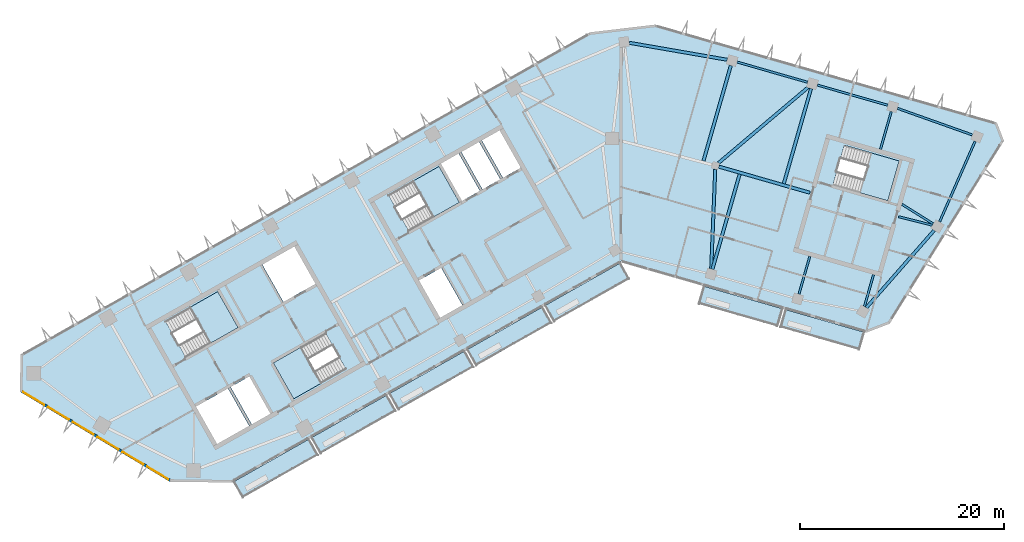
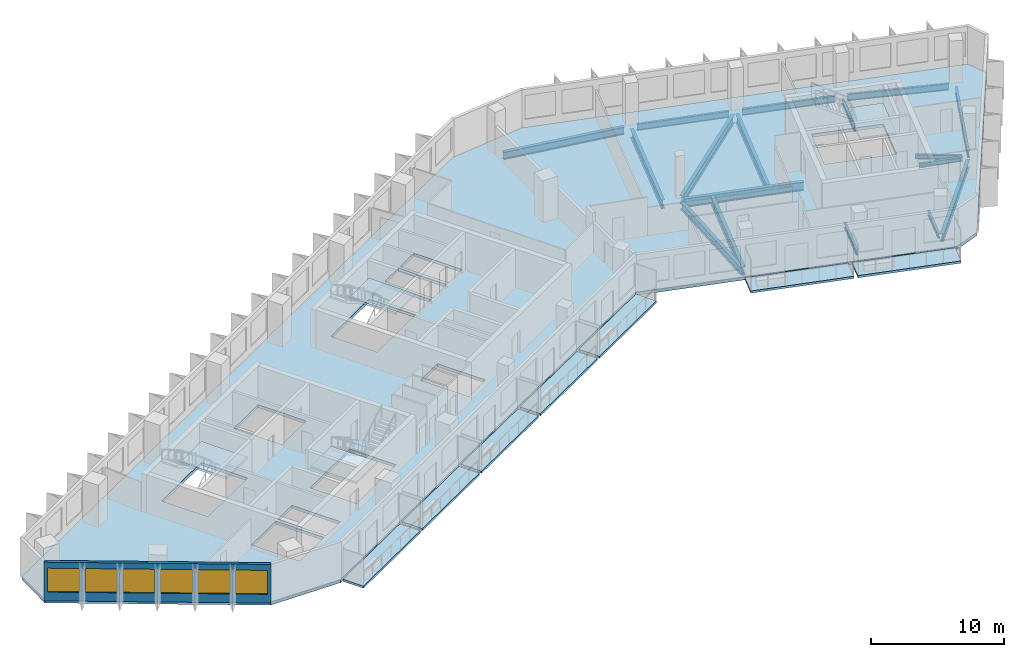
# One storey, part 2 of 12: 17 beams, 12 slabs, 6 windows, 1 wall, 6 openings, 4 elements without a shape of their own.
"""IFC4 building model written with IfcOpenShell, lengths in metres."""

from ifc_helpers import new_model, si_unit, direction, frame, frame_2d, origin, origin_2d, place, context, subcontext, project, spatial, polyline, rectangle, i_section, outline, extrude, material, layer, layer_set, material_profile, profile_set, type_object, element, fill, aggregate, save


model = new_model("IFC4")

# Units and contexts
model_context = context("Model", 3, precision=1e-05, world=origin(), true_north=direction((0.0, 1.0)))
body_context = subcontext(model_context, "Body", "Model", "MODEL_VIEW")
ifc_project = project(units=[si_unit("LENGTHUNIT", "METRE"), si_unit("AREAUNIT", "SQUARE_METRE"), si_unit("VOLUMEUNIT", "CUBIC_METRE"), si_unit("PLANEANGLEUNIT", "RADIAN"), si_unit("MASSUNIT", "GRAM", prefix="KILO")], contexts=[model_context])

# Site, building, storey
site_placement = place(None, origin())
site = spatial("IfcSite", under=ifc_project, at=site_placement, CompositionType="ELEMENT")
building_placement = place(site_placement, origin())
building = spatial("IfcBuilding", under=site, at=building_placement, Name="Binnacle Exchange Tower", CompositionType="ELEMENT")
storey_placement = place(building_placement, frame((0.0, 0.0, 254.300048828125)))
storey = spatial("IfcBuildingStorey", under=building, at=storey_placement, Name="L56", CompositionType="ELEMENT", Elevation=254.300048828125)

# Beams
ifc_material_1 = material(Name="Steel S355 (SHN355)", Category="steel")
ifc_material_profile_1 = material_profile(ifc_material_1, i_section(OverallWidth=0.199951171875, OverallDepth=0.60009765625, WebThickness=0.010986328125, FlangeThickness=0.01708984375, FilletRadius=0.02197265625, at=origin_2d()), Name="H 600x200x11x17")
ifc_profile_set_1 = profile_set([ifc_material_profile_1], Name="Steel S355 (SHN355)")
beam_type_1 = type_object("IfcBeamType", Name="Edge girder H 600x200x11x17 Steel S355 (SHN355)", PredefinedType="SPANDREL", material=ifc_profile_set_1)
beam_1_placement = place(storey_placement, frame((18.265625, 65.513916015625, -0.580078125), z_axis=(-0.961255050864, 0.275660528891, 0.0), x_axis=(-0.275660528891, -0.961255050864, 0.0)))
element("IfcBeam", 1, at=beam_1_placement, inside=storey, type_object=beam_type_1, Name="S:BM:edge:L56:029", PredefinedType="SPANDREL", context=body_context, shape_type="SweptSolid", body=[
    extrude(i_section(OverallWidth=0.199951171875, OverallDepth=0.60009765625, WebThickness=0.010986328125, FlangeThickness=0.01708984375, FilletRadius=0.02197265625, at=origin_2d()), origin(), (0.0, 0.0, 1.0), 7.1728515625),
])
beam_2_placement = place(storey_placement, frame((26.1220703125, 63.26123046875, -0.580078125), z_axis=(-0.96126665508, 0.275620060647, 0.0), x_axis=(-0.275620060647, -0.96126665508, 0.0)))
element("IfcBeam", 2, at=beam_2_placement, inside=storey, type_object=beam_type_1, Name="S:BM:edge:L56:031", PredefinedType="SPANDREL", context=body_context, shape_type="SweptSolid", body=[
    extrude(i_section(OverallWidth=0.199951171875, OverallDepth=0.60009765625, WebThickness=0.010986328125, FlangeThickness=0.01708984375, FilletRadius=0.02197265625, at=origin_2d()), origin(), (0.0, 0.0, 1.0), 7.173095703125),
])
ifc_material_profile_2 = material_profile(ifc_material_1, i_section(OverallWidth=0.200927734375, OverallDepth=0.60595703125, WebThickness=0.011962890625, FlangeThickness=0.02001953125, FilletRadius=0.02197265625, at=origin_2d()), Name="H 606x201x12x20")
ifc_profile_set_2 = profile_set([ifc_material_profile_2], Name="Steel S355 (SHN355)")
beam_type_2 = type_object("IfcBeamType", Name="Edge girder H 606x201x12x20 Steel S355 (SHN355)", PredefinedType="SPANDREL", material=ifc_profile_set_2)
beam_3_placement = place(storey_placement, frame((34.3984375, 60.3544921875, -0.5830078125), z_axis=(-0.942323270608, 0.334704128553, 0.0), x_axis=(-0.334704128553, -0.942323270608, 0.0)))
element("IfcBeam", 3, at=beam_3_placement, inside=storey, type_object=beam_type_2, Name="S:BM:edge:L56:033", PredefinedType="SPANDREL", context=body_context, shape_type="SweptSolid", body=[
    extrude(i_section(OverallWidth=0.200927734375, OverallDepth=0.60595703125, WebThickness=0.011962890625, FlangeThickness=0.02001953125, FilletRadius=0.02197265625, at=origin_2d()), origin(), (0.0, 0.0, 1.0), 7.77197265625),
])
ifc_material_profile_3 = material_profile(ifc_material_1, i_section(OverallWidth=0.201904296875, OverallDepth=0.612060546875, WebThickness=0.012939453125, FlangeThickness=0.02294921875, FilletRadius=0.02197265625, at=origin_2d()), Name="H 612x202x13x23")
ifc_profile_set_3 = profile_set([ifc_material_profile_3], Name="Steel S355 (SHN355)")
beam_type_3 = type_object("IfcBeamType", Name="Edge girder H 612x202x13x23 Steel S355 (SHN355)", PredefinedType="SPANDREL", material=ifc_profile_set_3)
beam_4_placement = place(storey_placement, frame((31.193359375, 51.848388671875, -0.5859375), z_axis=(0.403459457176, 0.914997522628, 0.0), x_axis=(-0.914997522628, 0.403459457176, 0.0)))
element("IfcBeam", 4, at=beam_4_placement, inside=storey, type_object=beam_type_3, Name="S:BM:edge:L56:032", PredefinedType="SPANDREL", context=body_context, shape_type="SweptSolid", body=[
    extrude(i_section(OverallWidth=0.201904296875, OverallDepth=0.612060546875, WebThickness=0.012939453125, FlangeThickness=0.02294921875, FilletRadius=0.02197265625, at=origin_2d()), origin(), (0.0, 0.0, 1.0), 8.61328125),
])
ifc_material_profile_4 = material_profile(ifc_material_1, i_section(OverallWidth=0.300048828125, OverallDepth=0.699951171875, WebThickness=0.012939453125, FlangeThickness=0.02392578125, FilletRadius=0.028076171875, at=origin_2d()), Name="H 700x300x13x24")
ifc_profile_set_4 = profile_set([ifc_material_profile_4], Name="Steel S355 (SHN355)")
beam_type_4 = type_object("IfcBeamType", Name="Edge girder H 700x300x13x24 Steel S355 (SHN355)", PredefinedType="SPANDREL", material=ifc_profile_set_4)
beam_5_placement = place(storey_placement, frame((10.39453125, 67.71484375, -0.630126953125), z_axis=(-0.985315512383, 0.170743494921, 0.0), x_axis=(-0.170743494921, -0.985315512383, 0.0)))
element("IfcBeam", 5, at=beam_5_placement, inside=storey, type_object=beam_type_4, Name="S:BM:edge:L56:027", PredefinedType="SPANDREL", context=body_context, shape_type="SweptSolid", body=[
    extrude(i_section(OverallWidth=0.300048828125, OverallDepth=0.699951171875, WebThickness=0.012939453125, FlangeThickness=0.02392578125, FilletRadius=0.028076171875, at=origin_2d()), origin(), (0.0, 0.0, 1.0), 9.72314453125),
])
beam_6_placement = place(storey_placement, frame((24.026123046875, 43.44580078125, -0.630126953125), z_axis=(0.659336218273, 0.751848223562, 0.0), x_axis=(-0.751848223562, 0.659336218273, 0.0)))
element("IfcBeam", 6, at=beam_6_placement, inside=storey, type_object=beam_type_4, Name="S:BM:edge:L56:030", PredefinedType="SPANDREL", context=body_context, shape_type="SweptSolid", body=[
    extrude(i_section(OverallWidth=0.300048828125, OverallDepth=0.699951171875, WebThickness=0.012939453125, FlangeThickness=0.02392578125, FilletRadius=0.028076171875, at=origin_2d()), origin(), (0.0, 0.0, 1.0), 10.0546875),
])
ifc_material_profile_5 = material_profile(ifc_material_1, i_section(OverallWidth=0.199951171875, OverallDepth=0.39990234375, WebThickness=0.008056640625, FlangeThickness=0.012939453125, FilletRadius=0.01611328125, at=origin_2d()), Name="H 400x200x8x13")
ifc_profile_set_5 = profile_set([ifc_material_profile_5], Name="Steel S355 (SHN355)")
beam_type_5 = type_object("IfcBeamType", Name="Floor beam H 400x200x8x13 Steel S355 (SHN355)", PredefinedType="BEAM", material=ifc_profile_set_5)
beam_7_placement = place(storey_placement, frame((23.832275390625, 43.55810546875, -0.47998046875), z_axis=(0.275607869103, 0.961270150628, 0.0), x_axis=(-0.961270150628, 0.275607869103, 0.0)))
element("IfcBeam", 7, at=beam_7_placement, inside=storey, type_object=beam_type_5, Name="S:BM:cross:L56:051", PredefinedType="BEAM", context=body_context, shape_type="SweptSolid", body=[
    extrude(i_section(OverallWidth=0.199951171875, OverallDepth=0.39990234375, WebThickness=0.008056640625, FlangeThickness=0.012939453125, FilletRadius=0.01611328125, at=origin_2d()), origin(), (0.0, 0.0, 1.0), 3.23583984375),
])
beam_8_placement = place(storey_placement, frame((30.5654296875, 51.6513671875, -0.47998046875), z_axis=(-0.848078408173, 0.529870751779, 0.0), x_axis=(-0.529870751779, -0.848078408173, 0.0)))
element("IfcBeam", 8, at=beam_8_placement, inside=storey, type_object=beam_type_5, Name="S:BM:cross:L56:053", PredefinedType="BEAM", context=body_context, shape_type="SweptSolid", body=[
    extrude(i_section(OverallWidth=0.199951171875, OverallDepth=0.39990234375, WebThickness=0.008056640625, FlangeThickness=0.012939453125, FilletRadius=0.01611328125, at=origin_2d()), origin(), (0.0, 0.0, 1.0), 3.59521484375),
])
ifc_material_profile_6 = material_profile(ifc_material_1, i_section(OverallWidth=0.199951171875, OverallDepth=0.449951171875, WebThickness=0.009033203125, FlangeThickness=0.013916015625, FilletRadius=0.01806640625, at=origin_2d()), Name="H 450x200x9x14")
ifc_profile_set_6 = profile_set([ifc_material_profile_6], Name="Steel S355 (SHN355)")
beam_type_6 = type_object("IfcBeamType", Name="Floor beam H 450x200x9x14 Steel S355 (SHN355)", PredefinedType="BEAM", material=ifc_profile_set_6)
for number, where, z_axis, x_axis, name in (
    (9, (17.426025390625, 44.771728515625, -0.505126953125), (0.27564586602, 0.961259255636, 0.0), (-0.961259255636, 0.27564586602, 0.0), "S:BM:cross:L56:049"),
    (10, (26.46484375, 62.642822265625, -0.505126953125), (-0.27564586602, -0.961259255636, 0.0), (0.961259255636, -0.27564586602, 0.0), "S:BM:cross:L56:052"),
):
    element("IfcBeam", number, at=place(storey_placement, frame(where, z_axis=z_axis, x_axis=x_axis)), inside=storey, type_object=beam_type_6, Name=name, PredefinedType="BEAM", context=body_context, shape_type="SweptSolid", body=[
        extrude(i_section(OverallWidth=0.199951171875, OverallDepth=0.449951171875, WebThickness=0.009033203125, FlangeThickness=0.013916015625, FilletRadius=0.01806640625, at=origin_2d()), origin(), (0.0, 0.0, 1.0), 3.835205078125),
    ])
ifc_material_profile_7 = material_profile(ifc_material_1, i_section(OverallWidth=0.300048828125, OverallDepth=0.800048828125, WebThickness=0.013916015625, FlangeThickness=0.02587890625, FilletRadius=0.028076171875, at=origin_2d()), Name="H 800x300x14x26")
ifc_profile_set_7 = profile_set([ifc_material_profile_7], Name="Steel S355 (SHN355)")
beam_type_7 = type_object("IfcBeamType", Name="Floor beam H 800x300x14x26 Steel S355 (SHN355)", PredefinedType="BEAM", material=ifc_profile_set_7)
beam_9_placement = place(storey_placement, frame((8.947265625, 47.202880859375, -0.679931640625), z_axis=(0.275643212873, 0.961260016435, 0.0), x_axis=(-0.961260016435, 0.275643212873, 0.0)))
element("IfcBeam", 11, at=beam_9_placement, inside=storey, type_object=beam_type_7, Name="S:BM:cross:L56:047", PredefinedType="BEAM", context=body_context, shape_type="SweptSolid", body=[
    extrude(i_section(OverallWidth=0.300048828125, OverallDepth=0.800048828125, WebThickness=0.013916015625, FlangeThickness=0.02587890625, FilletRadius=0.028076171875, at=origin_2d()), origin(), (0.0, 0.0, 1.0), 9.685302734375),
])
beam_10_placement = place(storey_placement, frame((10.752197265625, 67.1484375, -0.679931640625), z_axis=(-0.275623948616, -0.96126554029, 0.0), x_axis=(0.96126554029, -0.275623948616, 0.0)))
element("IfcBeam", 12, at=beam_10_placement, inside=storey, type_object=beam_type_7, Name="S:BM:cross:L56:048", PredefinedType="BEAM", context=body_context, shape_type="SweptSolid", body=[
    extrude(i_section(OverallWidth=0.300048828125, OverallDepth=0.800048828125, WebThickness=0.013916015625, FlangeThickness=0.02587890625, FilletRadius=0.028076171875, at=origin_2d()), origin(), (0.0, 0.0, 1.0), 9.71337890625),
])
beam_11_placement = place(storey_placement, frame((18.6083984375, 64.8955078125, -0.679931640625), z_axis=(-0.275626599208, -0.961264780281, 0.0), x_axis=(0.961264780281, -0.275626599208, 0.0)))
element("IfcBeam", 13, at=beam_11_placement, inside=storey, type_object=beam_type_7, Name="S:BM:cross:L56:050", PredefinedType="BEAM", context=body_context, shape_type="SweptSolid", body=[
    extrude(i_section(OverallWidth=0.300048828125, OverallDepth=0.800048828125, WebThickness=0.013916015625, FlangeThickness=0.02587890625, FilletRadius=0.028076171875, at=origin_2d()), origin(), (0.0, 0.0, 1.0), 9.68505859375),
])
ifc_material_profile_8 = material_profile(ifc_material_1, i_section(OverallWidth=0.199951171875, OverallDepth=0.39990234375, WebThickness=0.008056640625, FlangeThickness=0.012939453125, FilletRadius=0.01611328125, at=origin_2d()), Name="H 400x200x8x13")
ifc_profile_set_8 = profile_set([ifc_material_profile_8], Name="Steel S355 (SHN355)")
beam_type_8 = type_object("IfcBeamType", Name="Spine girder H 400x200x8x13 Steel S355 (SHN355)", PredefinedType="BEAM", material=ifc_profile_set_8)
beam_12_placement = place(storey_placement, frame((27.17138671875, 52.35400390625, -0.47998046875), z_axis=(0.969354959992, -0.245664326957, 0.0), x_axis=(0.245664326957, 0.969354959992, 0.0)))
element("IfcBeam", 14, at=beam_12_placement, inside=storey, type_object=beam_type_8, Name="S:BM:spine:L56:010", PredefinedType="BEAM", context=body_context, shape_type="SweptSolid", body=[
    extrude(i_section(OverallWidth=0.199951171875, OverallDepth=0.39990234375, WebThickness=0.008056640625, FlangeThickness=0.012939453125, FilletRadius=0.01611328125, at=origin_2d()), origin(), (0.0, 0.0, 1.0), 3.41357421875),
])
ifc_material_profile_9 = material_profile(ifc_material_1, i_section(OverallWidth=0.300048828125, OverallDepth=0.699951171875, WebThickness=0.012939453125, FlangeThickness=0.02392578125, FilletRadius=0.028076171875, at=origin_2d()), Name="H 700x300x13x24")
ifc_profile_set_9 = profile_set([ifc_material_profile_9], Name="Steel S355 (SHN355)")
beam_type_9 = type_object("IfcBeamType", Name="Spine girder H 700x300x13x24 Steel S355 (SHN355)", PredefinedType="BEAM", material=ifc_profile_set_9)
beam_13_placement = place(storey_placement, frame((9.226318359375, 56.990234375, -0.630126953125), z_axis=(-0.040566314933, -0.999176848257, 0.0), x_axis=(0.999176848257, -0.040566314933, 0.0)))
element("IfcBeam", 15, at=beam_13_placement, inside=storey, type_object=beam_type_9, Name="S:BM:spine:L56:007", PredefinedType="BEAM", context=body_context, shape_type="SweptSolid", body=[
    extrude(i_section(OverallWidth=0.300048828125, OverallDepth=0.699951171875, WebThickness=0.012939453125, FlangeThickness=0.02392578125, FilletRadius=0.028076171875, at=origin_2d()), origin(), (0.0, 0.0, 1.0), 9.76171875),
])
ifc_material_profile_10 = material_profile(ifc_material_1, i_section(OverallWidth=0.300048828125, OverallDepth=0.800048828125, WebThickness=0.013916015625, FlangeThickness=0.02587890625, FilletRadius=0.028076171875, at=origin_2d()), Name="H 800x300x14x26")
ifc_profile_set_10 = profile_set([ifc_material_profile_10], Name="Steel S355 (SHN355)")
beam_type_10 = type_object("IfcBeamType", Name="Spine girder H 800x300x14x26 Steel S355 (SHN355)", PredefinedType="BEAM", material=ifc_profile_set_10)
beam_14_placement = place(storey_placement, frame((9.577392578125, 57.253662109375, -0.679931640625), z_axis=(0.961262936931, -0.275633027924, 0.0), x_axis=(0.275633027924, 0.961262936931, 0.0)))
element("IfcBeam", 16, at=beam_14_placement, inside=storey, type_object=beam_type_10, Name="S:BM:spine:L56:009", PredefinedType="BEAM", context=body_context, shape_type="SweptSolid", body=[
    extrude(i_section(OverallWidth=0.300048828125, OverallDepth=0.800048828125, WebThickness=0.013916015625, FlangeThickness=0.02587890625, FilletRadius=0.028076171875, at=origin_2d()), origin(), (0.0, 0.0, 1.0), 9.26318359375),
])
ifc_material_profile_11 = material_profile(ifc_material_1, i_section(OverallWidth=0.302001953125, OverallDepth=0.80810546875, WebThickness=0.01611328125, FlangeThickness=0.030029296875, FilletRadius=0.028076171875, at=origin_2d()), Name="H 808x302x16x30")
ifc_profile_set_11 = profile_set([ifc_material_profile_11], Name="Steel S355 (SHN355)")
beam_type_11 = type_object("IfcBeamType", Name="Spine girder H 808x302x16x30 Steel S355 (SHN355)", PredefinedType="BEAM", material=ifc_profile_set_11)
beam_15_placement = place(storey_placement, frame((9.562744140625, 57.6220703125, -0.68408203125), z_axis=(0.764068797706, 0.645134770704, 0.0), x_axis=(-0.645134770704, 0.764068797706, 0.0)))
element("IfcBeam", 17, at=beam_15_placement, inside=storey, type_object=beam_type_11, Name="S:BM:spine:L56:008", PredefinedType="BEAM", context=body_context, shape_type="SweptSolid", body=[
    extrude(i_section(OverallWidth=0.302001953125, OverallDepth=0.80810546875, WebThickness=0.01611328125, FlangeThickness=0.030029296875, FilletRadius=0.028076171875, at=origin_2d()), origin(), (0.0, 0.0, 1.0), 11.417236328125),
])

# Slabs
ifc_material_2 = material(Name="Concrete C35/45", Category="concrete")
ifc_layer_1 = layer(ifc_material_2, 0.199951171875)
ifc_layer_set_1 = layer_set([ifc_layer_1], Name="BALCONY SLAB 200")
slab_type_1 = type_object("IfcSlabType", Name="BALCONY SLAB 200", PredefinedType="FLOOR", material=ifc_layer_set_1)
slab_1_placement = place(storey_placement, frame((0.0, 0.0, -0.199951171875)))
element("IfcSlab", 18, at=slab_1_placement, inside=storey, type_object=slab_type_1, Name="Balcony BA-G01-00 L56", PredefinedType="FLOOR", context=body_context, shape_type="SweptSolid", body=[
    extrude(outline(polyline([(-37.90576171875, 26.410400390625), (-30.54736328125, 30.573486328125), (-29.660888671875, 29.0068359375), (-37.019287109375, 24.84375), (-37.90576171875, 26.410400390625)])), origin(), (0.0, 0.0, 1.0), 0.199951171875),
])
slab_2_placement = place(storey_placement, frame((0.0, 0.0, -0.199951171875)))
element("IfcSlab", 19, at=slab_2_placement, inside=storey, type_object=slab_type_1, Name="Balcony BA-G01-01 L56", PredefinedType="FLOOR", context=body_context, shape_type="SweptSolid", body=[
    extrude(outline(polyline([(-30.2861328125, 30.72119140625), (-22.927734375, 34.884521484375), (-22.041259765625, 33.31787109375), (-29.39990234375, 29.15478515625), (-30.2861328125, 30.72119140625)])), origin(), (0.0, 0.0, 1.0), 0.199951171875),
])
slab_3_placement = place(storey_placement, frame((0.0, 0.0, -0.199951171875)))
element("IfcSlab", 20, at=slab_3_placement, inside=storey, type_object=slab_type_1, Name="Balcony BA-G01-02 L56", PredefinedType="FLOOR", context=body_context, shape_type="SweptSolid", body=[
    extrude(outline(polyline([(-22.66650390625, 35.0322265625), (-15.30810546875, 39.195556640625), (-14.421875, 37.62890625), (-21.7802734375, 33.465576171875), (-22.66650390625, 35.0322265625)])), origin(), (0.0, 0.0, 1.0), 0.199951171875),
])
slab_4_placement = place(storey_placement, frame((0.0, 0.0, -0.199951171875)))
element("IfcSlab", 21, at=slab_4_placement, inside=storey, type_object=slab_type_1, Name="Balcony BA-G01-03 L56", PredefinedType="FLOOR", context=body_context, shape_type="SweptSolid", body=[
    extrude(outline(polyline([(-15.047119140625, 39.34326171875), (-7.6884765625, 43.50634765625), (-6.802001953125, 41.939697265625), (-14.16064453125, 37.776611328125), (-15.047119140625, 39.34326171875)])), origin(), (0.0, 0.0, 1.0), 0.199951171875),
])
slab_5_placement = place(storey_placement, frame((0.0, 0.0, -0.199951171875)))
element("IfcSlab", 22, at=slab_5_placement, inside=storey, type_object=slab_type_1, Name="Balcony BA-G01-04 L56", PredefinedType="FLOOR", context=body_context, shape_type="SweptSolid", body=[
    extrude(outline(polyline([(-7.427490234375, 43.654296875), (-0.069091796875, 47.8173828125), (0.8173828125, 46.250732421875), (-6.541015625, 42.08740234375), (-7.427490234375, 43.654296875)])), origin(), (0.0, 0.0, 1.0), 0.199951171875),
])
slab_6_placement = place(storey_placement, frame((0.0, 0.0, -0.199951171875)))
element("IfcSlab", 23, at=slab_6_placement, inside=storey, type_object=slab_type_1, Name="Balcony BA-G02-01 L56", PredefinedType="FLOOR", context=body_context, shape_type="SweptSolid", body=[
    extrude(outline(polyline([(8.10791015625, 45.545166015625), (15.8173828125, 43.33447265625), (15.3212890625, 41.60400390625), (7.61181640625, 43.814697265625), (8.10791015625, 45.545166015625)])), origin(), (0.0, 0.0, 1.0), 0.199951171875),
])
slab_7_placement = place(storey_placement, frame((0.0, 0.0, -0.199951171875)))
element("IfcSlab", 24, at=slab_7_placement, inside=storey, type_object=slab_type_1, Name="Balcony BA-G02-02 L56", PredefinedType="FLOOR", context=body_context, shape_type="SweptSolid", body=[
    extrude(outline(polyline([(16.10595703125, 43.251708984375), (23.815673828125, 41.041015625), (23.319580078125, 39.310791015625), (15.60986328125, 41.521484375), (16.10595703125, 43.251708984375)])), origin(), (0.0, 0.0, 1.0), 0.199951171875),
])
ifc_layer_2 = layer(ifc_material_2, 0.280029296875)
ifc_layer_set_2 = layer_set([ifc_layer_2], Name="Floor slab 280 Concrete C35/45")
slab_type_2 = type_object("IfcSlabType", Name="Floor slab 280 Concrete C35/45", PredefinedType="FLOOR", material=ifc_layer_set_2)
slab_8_placement = place(storey_placement, frame((0.0, 0.0, -0.280029296875)))
element("IfcSlab", 25, at=slab_8_placement, inside=storey, type_object=slab_type_2, Name="S:SL:L56:01", PredefinedType="FLOOR", context=body_context, shape_type="SweptSolid", body=[
    extrude(outline(polyline([(-58.716064453125, 35.280029296875), (-58.669921875, 38.80615234375), (-3.046142578125, 70.276611328125), (3.364501953125, 71.035400390625), (36.71240234375, 61.472900390625), (37.359375, 59.787353515625), (26.23095703125, 41.978515625), (23.994140625, 41.119873046875), (0.0, 48.0), (-38.097900390625, 26.4453125), (-44.14404296875, 26.5244140625), (-58.716064453125, 35.280029296875)]), holes=[polyline([(-38.4794921875, 35.529296875), (-41.61279296875, 33.756591796875), (-39.544677734375, 30.10107421875), (-36.411376953125, 31.873779296875), (-38.4794921875, 35.529296875)]), polyline([(-36.390625, 36.711181640625), (-38.21826171875, 35.677001953125), (-36.150146484375, 32.021484375), (-34.322509765625, 33.0556640625), (-36.390625, 36.711181640625)]), polyline([(-32.04638671875, 34.515625), (-26.9287109375, 37.4111328125), (-28.923095703125, 40.93603515625), (-34.040771484375, 38.04052734375), (-32.04638671875, 34.515625)]), polyline([(-37.486572265625, 41.4912109375), (-39.480712890625, 45.01611328125), (-44.598388671875, 42.12060546875), (-42.604248046875, 38.595703125), (-37.486572265625, 41.4912109375)]), polyline([(-29.914306640625, 45.775390625), (-31.982666015625, 49.430908203125), (-35.115966796875, 47.657958984375), (-33.047607421875, 44.00244140625), (-29.914306640625, 45.775390625)]), polyline([(-17.81689453125, 57.27294921875), (-22.760498046875, 54.47607421875), (-20.76611328125, 50.950927734375), (-15.822509765625, 53.748046875), (-17.81689453125, 57.27294921875)]), polyline([(-15.53076171875, 43.6875), (-17.598876953125, 47.343017578125), (-19.77490234375, 46.11181640625), (-17.70654296875, 42.456298828125), (-15.53076171875, 43.6875)]), polyline([(-13.82080078125, 54.880615234375), (-15.888916015625, 58.5361328125), (-17.629638671875, 57.55126953125), (-15.5615234375, 53.895751953125), (-13.82080078125, 54.880615234375)]), polyline([(27.227783203125, 57.810302734375), (21.864013671875, 59.348388671875), (20.74755859375, 55.455078125), (26.111328125, 53.9169921875), (27.227783203125, 57.810302734375)]), polyline([(-11.819091796875, 56.01318359375), (-13.88720703125, 59.668701171875), (-15.6279296875, 58.683837890625), (-13.559814453125, 55.0283203125), (-11.819091796875, 56.01318359375)]), polyline([(-9.817138671875, 57.145751953125), (-11.885498046875, 60.80126953125), (-13.626220703125, 59.81640625), (-11.557861328125, 56.160888671875), (-9.817138671875, 57.145751953125)])]), origin(), (0.0, 0.0, 1.0), 0.280029296875),
])

# Stair, slab
stair_type = type_object("IfcStairType", Name="STAIR 22 RISERS 177", PredefinedType="HALF_TURN_STAIR", material=ifc_material_2)
stair_1_placement = place(storey_placement, origin())
stair_1 = element("IfcStair", 26, at=stair_1_placement, inside=storey, type_object=stair_type, Name="L56 Escape stair A1", PredefinedType="HALF_TURN_STAIR")
ifc_layer_3 = layer(ifc_material_2, 0.199951171875)
ifc_layer_set_3 = layer_set([ifc_layer_3], Name="STAIR LANDING 200")
slab_type_3 = type_object("IfcSlabType", Name="STAIR LANDING 200", PredefinedType="LANDING", material=ifc_layer_set_3)
slab_9_placement = place(storey_placement, frame((0.0, 0.0, 1.75)))
slab_9 = element("IfcSlab", 27, at=slab_9_placement, type_object=slab_type_3, Name="STA1 landing 1", PredefinedType="LANDING", context=body_context, shape_type="SweptSolid", body=[
    extrude(outline(polyline([(-40.2021484375, 39.954833984375), (-37.486572265625, 41.4912109375), (-39.48095703125, 45.01611328125), (-42.1962890625, 43.479736328125), (-40.2021484375, 39.954833984375)])), origin(), (0.0, 0.0, 1.0), 0.199951171875),
])
aggregate(stair_1, [slab_9])

stair_2_placement = place(storey_placement, origin())
stair_2 = element("IfcStair", 28, at=stair_2_placement, inside=storey, type_object=stair_type, Name="L56 Escape stair A2", PredefinedType="HALF_TURN_STAIR")
slab_10_placement = place(storey_placement, frame((0.0, 0.0, 1.75)))
slab_10 = element("IfcSlab", 29, at=slab_10_placement, type_object=slab_type_3, Name="STA2 landing 1", PredefinedType="LANDING", context=body_context, shape_type="SweptSolid", body=[
    extrude(outline(polyline([(-31.3251953125, 39.576904296875), (-34.040771484375, 38.04052734375), (-32.04638671875, 34.515625), (-29.330810546875, 36.052001953125), (-31.3251953125, 39.576904296875)])), origin(), (0.0, 0.0, 1.0), 0.199951171875),
])
aggregate(stair_2, [slab_10])

stair_3_placement = place(storey_placement, origin())
stair_3 = element("IfcStair", 30, at=stair_3_placement, inside=storey, type_object=stair_type, Name="L56 Escape stair C1", PredefinedType="HALF_TURN_STAIR")
slab_11_placement = place(storey_placement, frame((0.0, 0.0, 1.75)))
slab_11 = element("IfcSlab", 31, at=slab_11_placement, type_object=slab_type_3, Name="STC1 landing 1", PredefinedType="LANDING", context=body_context, shape_type="SweptSolid", body=[
    extrude(outline(polyline([(-18.364013671875, 52.31005859375), (-15.822509765625, 53.748046875), (-17.81689453125, 57.27294921875), (-20.3583984375, 55.8349609375), (-18.364013671875, 52.31005859375)])), origin(), (0.0, 0.0, 1.0), 0.199951171875),
])
aggregate(stair_3, [slab_11])

stair_4_placement = place(storey_placement, origin())
stair_4 = element("IfcStair", 32, at=stair_4_placement, inside=storey, type_object=stair_type, Name="L56 Escape stair D1", PredefinedType="HALF_TURN_STAIR")
slab_12_placement = place(storey_placement, frame((0.0, 0.0, 1.75)))
slab_12 = element("IfcSlab", 33, at=slab_12_placement, type_object=slab_type_3, Name="STD1 landing 1", PredefinedType="LANDING", context=body_context, shape_type="SweptSolid", body=[
    extrude(outline(polyline([(23.400634765625, 54.6943359375), (26.111328125, 53.917236328125), (27.227783203125, 57.810302734375), (24.516845703125, 58.587646484375), (23.400634765625, 54.6943359375)])), origin(), (0.0, 0.0, 1.0), 0.199951171875),
])
aggregate(stair_4, [slab_12])

# Wall, openings, windows
ifc_material_3 = material(Name="Bronze aluminium cladding", Category="aluminium")
ifc_layer_4 = layer(ifc_material_3, 0.25)
ifc_layer_set_4 = layer_set([ifc_layer_4], Name="External wall - window wall 250")
wall_type = type_object("IfcWallType", Name="External wall - window wall 250", PredefinedType="STANDARD", material=ifc_layer_set_4)
wall_placement = place(storey_placement, frame((-44.115234375, 26.507080078125, 0.0), z_axis=(0.0, 0.0, 1.0), x_axis=(-0.857166583633, 0.515039268311, 0.0)))
wall = element("IfcWall", 34, at=wall_placement, inside=storey, type_object=wall_type, Name="External wall EW-G10 L56", PredefinedType="STANDARD", context=body_context, shape_type="SweptSolid", body=[
    extrude(rectangle(XDim=17.105712890625, YDim=0.25, at=frame_2d((8.552734375, 0.0))), origin(), (0.0, 0.0, 1.0), 3.550048828125),
])
opening_1_placement = place(wall_placement, frame((14.4169921875, 0.0, 0.800048828125)))
opening_1 = element("IfcOpeningElement", 35, at=opening_1_placement, cuts=wall, Name="Opening WR1", PredefinedType="OPENING", context=body_context, shape_type="SweptSolid", body=[
    extrude(rectangle(XDim=2.39990234375, YDim=2.199951171875, at=frame_2d((1.199951171875, 1.10009765625))), frame((0.0, 0.135009765625, 0.0), z_axis=(0.0, -1.0, 0.0), x_axis=(1.0, 0.0, 0.0)), (0.0, 0.0, 1.0), 0.27001953125),
])
opening_2_placement = place(wall_placement, frame((11.583740234375, 0.0, 0.800048828125)))
opening_2 = element("IfcOpeningElement", 36, at=opening_2_placement, cuts=wall, Name="Opening WR1", PredefinedType="OPENING", context=body_context, shape_type="SweptSolid", body=[
    extrude(rectangle(XDim=2.39990234375, YDim=2.199951171875, at=frame_2d((1.199951171875, 1.10009765625))), frame((0.0, 0.135009765625, 0.0), z_axis=(0.0, -1.0, 0.0), x_axis=(1.0, 0.0, 0.0)), (0.0, 0.0, 1.0), 0.27001953125),
])
opening_3_placement = place(wall_placement, frame((8.75048828125, 0.0, 0.800048828125)))
opening_3 = element("IfcOpeningElement", 37, at=opening_3_placement, cuts=wall, Name="Opening WR1", PredefinedType="OPENING", context=body_context, shape_type="SweptSolid", body=[
    extrude(rectangle(XDim=2.39990234375, YDim=2.199951171875, at=frame_2d((1.199951171875, 1.10009765625))), frame((0.0, 0.135009765625, 0.0), z_axis=(0.0, -1.0, 0.0), x_axis=(1.0, 0.0, 0.0)), (0.0, 0.0, 1.0), 0.27001953125),
])
opening_4_placement = place(wall_placement, frame((5.9169921875, 0.0, 0.800048828125)))
opening_4 = element("IfcOpeningElement", 38, at=opening_4_placement, cuts=wall, Name="Opening WR1", PredefinedType="OPENING", context=body_context, shape_type="SweptSolid", body=[
    extrude(rectangle(XDim=2.39990234375, YDim=2.199951171875, at=frame_2d((1.199951171875, 1.10009765625))), frame((0.0, 0.135009765625, 0.0), z_axis=(0.0, -1.0, 0.0), x_axis=(1.0, 0.0, 0.0)), (0.0, 0.0, 1.0), 0.27001953125),
])
opening_5_placement = place(wall_placement, frame((3.083740234375, 0.0, 0.800048828125)))
opening_5 = element("IfcOpeningElement", 39, at=opening_5_placement, cuts=wall, Name="Opening WR1", PredefinedType="OPENING", context=body_context, shape_type="SweptSolid", body=[
    extrude(rectangle(XDim=2.39990234375, YDim=2.199951171875, at=frame_2d((1.199951171875, 1.10009765625))), frame((0.0, 0.135009765625, 0.0), z_axis=(0.0, -1.0, 0.0), x_axis=(1.0, 0.0, 0.0)), (0.0, 0.0, 1.0), 0.27001953125),
])
opening_6_placement = place(wall_placement, frame((0.25048828125, 0.0, 0.800048828125)))
opening_6 = element("IfcOpeningElement", 40, at=opening_6_placement, cuts=wall, Name="Opening WR1", PredefinedType="OPENING", context=body_context, shape_type="SweptSolid", body=[
    extrude(rectangle(XDim=2.39990234375, YDim=2.199951171875, at=frame_2d((1.199951171875, 1.10009765625))), frame((0.0, 0.135009765625, 0.0), z_axis=(0.0, -1.0, 0.0), x_axis=(1.0, 0.0, 0.0)), (0.0, 0.0, 1.0), 0.27001953125),
])
ifc_material_4 = material(Name="Bronze anodised aluminium frame", Category="aluminium")
window_type = type_object("IfcWindowType", Name="WR1 WINDOW 2400x2200", PartitioningType="SINGLE_PANEL", PredefinedType="WINDOW", material=ifc_material_4)
window_1_placement = place(opening_1_placement, origin())
window_1 = element("IfcWindow", 41, at=window_1_placement, inside=storey, type_object=window_type, Name="Window WR1 L56", OverallHeight=2.199951171875, OverallWidth=2.39990234375, PartitioningType="SINGLE_PANEL", PredefinedType="WINDOW", context=body_context, shape_type="SweptSolid", body=[
    extrude(rectangle(XDim=2.39990234375, YDim=2.199951171875, at=frame_2d((1.199951171875, 1.10009765625))), frame((0.0, 0.030029296875, 0.0), z_axis=(0.0, -1.0, 0.0), x_axis=(1.0, 0.0, 0.0)), (0.0, 0.0, 1.0), 0.06005859375),
])
fill(opening_1, window_1)
window_2_placement = place(opening_2_placement, origin())
window_2 = element("IfcWindow", 42, at=window_2_placement, inside=storey, type_object=window_type, Name="Window WR1 L56", OverallHeight=2.199951171875, OverallWidth=2.39990234375, PartitioningType="SINGLE_PANEL", PredefinedType="WINDOW", context=body_context, shape_type="SweptSolid", body=[
    extrude(rectangle(XDim=2.39990234375, YDim=2.199951171875, at=frame_2d((1.199951171875, 1.10009765625))), frame((0.0, 0.030029296875, 0.0), z_axis=(0.0, -1.0, 0.0), x_axis=(1.0, 0.0, 0.0)), (0.0, 0.0, 1.0), 0.06005859375),
])
fill(opening_2, window_2)
window_3_placement = place(opening_3_placement, origin())
window_3 = element("IfcWindow", 43, at=window_3_placement, inside=storey, type_object=window_type, Name="Window WR1 L56", OverallHeight=2.199951171875, OverallWidth=2.39990234375, PartitioningType="SINGLE_PANEL", PredefinedType="WINDOW", context=body_context, shape_type="SweptSolid", body=[
    extrude(rectangle(XDim=2.39990234375, YDim=2.199951171875, at=frame_2d((1.199951171875, 1.10009765625))), frame((0.0, 0.030029296875, 0.0), z_axis=(0.0, -1.0, 0.0), x_axis=(1.0, 0.0, 0.0)), (0.0, 0.0, 1.0), 0.06005859375),
])
fill(opening_3, window_3)
window_4_placement = place(opening_4_placement, origin())
window_4 = element("IfcWindow", 44, at=window_4_placement, inside=storey, type_object=window_type, Name="Window WR1 L56", OverallHeight=2.199951171875, OverallWidth=2.39990234375, PartitioningType="SINGLE_PANEL", PredefinedType="WINDOW", context=body_context, shape_type="SweptSolid", body=[
    extrude(rectangle(XDim=2.39990234375, YDim=2.199951171875, at=frame_2d((1.199951171875, 1.10009765625))), frame((0.0, 0.030029296875, 0.0), z_axis=(0.0, -1.0, 0.0), x_axis=(1.0, 0.0, 0.0)), (0.0, 0.0, 1.0), 0.06005859375),
])
fill(opening_4, window_4)
window_5_placement = place(opening_5_placement, origin())
window_5 = element("IfcWindow", 45, at=window_5_placement, inside=storey, type_object=window_type, Name="Window WR1 L56", OverallHeight=2.199951171875, OverallWidth=2.39990234375, PartitioningType="SINGLE_PANEL", PredefinedType="WINDOW", context=body_context, shape_type="SweptSolid", body=[
    extrude(rectangle(XDim=2.39990234375, YDim=2.199951171875, at=frame_2d((1.199951171875, 1.10009765625))), frame((0.0, 0.030029296875, 0.0), z_axis=(0.0, -1.0, 0.0), x_axis=(1.0, 0.0, 0.0)), (0.0, 0.0, 1.0), 0.06005859375),
])
fill(opening_5, window_5)
window_6_placement = place(opening_6_placement, origin())
window_6 = element("IfcWindow", 46, at=window_6_placement, inside=storey, type_object=window_type, Name="Window WR1 L56", OverallHeight=2.199951171875, OverallWidth=2.39990234375, PartitioningType="SINGLE_PANEL", PredefinedType="WINDOW", context=body_context, shape_type="SweptSolid", body=[
    extrude(rectangle(XDim=2.39990234375, YDim=2.199951171875, at=frame_2d((1.199951171875, 1.10009765625))), frame((0.0, 0.030029296875, 0.0), z_axis=(0.0, -1.0, 0.0), x_axis=(1.0, 0.0, 0.0)), (0.0, 0.0, 1.0), 0.06005859375),
])
fill(opening_6, window_6)

save(model, "model.ifc")
